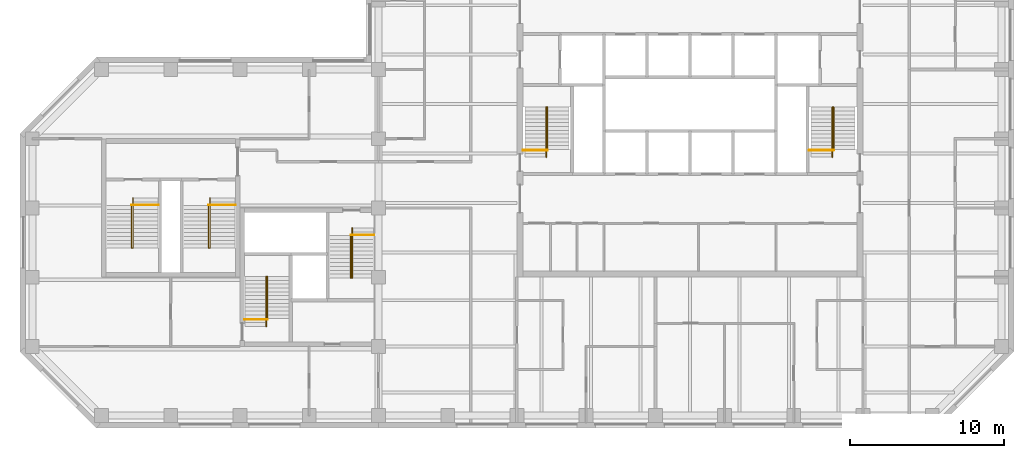
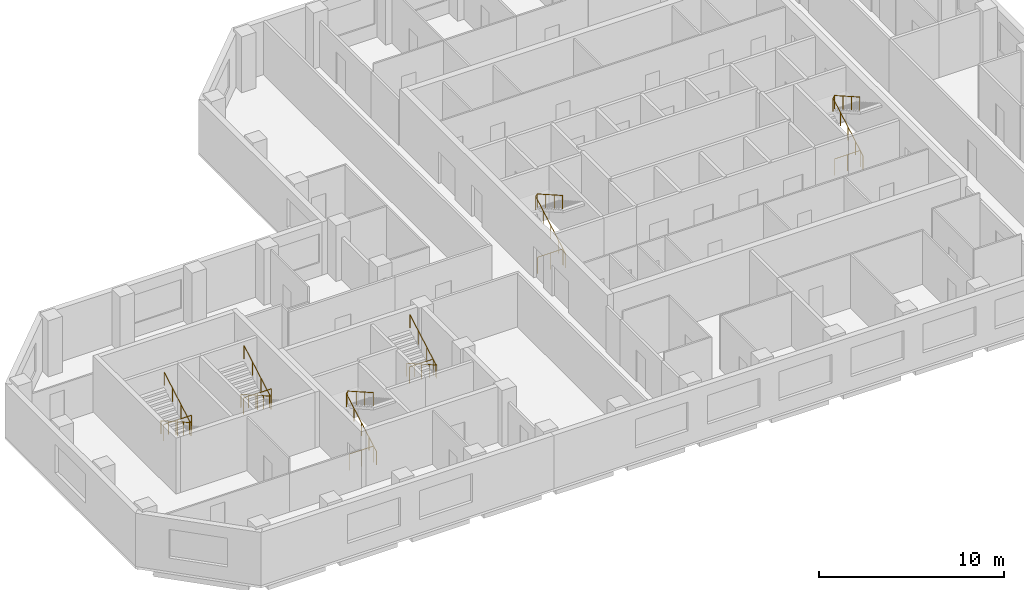
# One storey, part 9 of 9: 12 railings.
"""IFC4 building model written with IfcOpenShell, lengths in metres."""

from ifc_helpers import new_model, si_unit, direction, frame, origin, origin_2d, place, context, subcontext, project, spatial, circle, extrude, material, type_object, element, save


model = new_model("IFC4")

# Units and contexts
model_context = context("Model", 3, precision=1e-05, world=origin(), true_north=direction((0.0, 1.0)))
body_context = subcontext(model_context, "Body", "Model", "MODEL_VIEW")
ifc_project = project(units=[si_unit("LENGTHUNIT", "METRE"), si_unit("AREAUNIT", "SQUARE_METRE"), si_unit("VOLUMEUNIT", "CUBIC_METRE"), si_unit("PLANEANGLEUNIT", "RADIAN"), si_unit("MASSUNIT", "GRAM", prefix="KILO")], contexts=[model_context])

# Site, building, storey
site_placement = place(None, origin())
site = spatial("IfcSite", under=ifc_project, at=site_placement, CompositionType="ELEMENT")
building_placement = place(site_placement, origin())
building = spatial("IfcBuilding", under=site, at=building_placement, Name="Quoin Convention Tower", CompositionType="ELEMENT")
storey_placement = place(building_placement, frame((0.0, 0.0, 237.800048828125)))
storey = spatial("IfcBuildingStorey", under=building, at=storey_placement, Name="L62", CompositionType="ELEMENT", Elevation=237.800048828125)

# Railings
ifc_material = material(Name="Stainless steel", Category="steel")
railing_type_1 = type_object("IfcRailingType", Name="Stair handrail 900", PredefinedType="HANDRAIL", material=ifc_material)
railing_1_placement = place(storey_placement, frame((46.905029296875, 57.300048828125, 0.142333984375)))
element("IfcRailing", 1, at=railing_1_placement, inside=storey, type_object=railing_type_1, Name="SD1 handrail 1", PredefinedType="HANDRAIL", context=body_context, shape_type="SweptSolid", body=[
    extrude(circle(Radius=0.02392578125, at=origin_2d()), frame((0.0, 0.0, 0.8759765625), z_axis=(0.0, 0.869081571614, 0.494668800189), x_axis=(-1.0, 0.0, 0.0)), (0.0, 0.0, 1.0), 3.739501953125),
    extrude(circle(Radius=0.02392578125, at=origin_2d()), frame((0.0, 3.25, 2.7255859375), z_axis=(0.53481069233, 0.0, 0.844971906852), x_axis=(0.0, 1.0, 0.0)), (0.0, 0.0, 1.0), 0.16845703125),
    extrude(circle(Radius=0.02392578125, at=origin_2d()), frame((0.090087890625, 3.25, 2.8681640625), z_axis=(0.0, -0.869058607571, 0.494709143443), x_axis=(1.0, 0.0, 0.0)), (0.0, 0.0, 1.0), 3.164306640625),
    extrude(circle(Radius=0.02099609375, at=origin_2d()), origin(), (0.0, 0.0, 1.0), 0.851806640625),
    extrude(circle(Radius=0.02099609375, at=origin_2d()), frame((0.0, 0.8125, 0.46240234375)), (0.0, 0.0, 1.0), 0.851806640625),
    extrude(circle(Radius=0.02099609375, at=origin_2d()), frame((0.0, 1.625, 0.9248046875)), (0.0, 0.0, 1.0), 0.851806640625),
    extrude(circle(Radius=0.02099609375, at=origin_2d()), frame((0.0, 2.4375, 1.387451171875)), (0.0, 0.0, 1.0), 0.851806640625),
    extrude(circle(Radius=0.02099609375, at=origin_2d()), frame((0.0, 3.25, 1.849853515625)), (0.0, 0.0, 1.0), 0.851806640625),
    extrude(circle(Radius=0.02099609375, at=origin_2d()), frame((0.090087890625, 3.25, 1.9921875)), (0.0, 0.0, 1.0), 0.851806640625),
    extrude(circle(Radius=0.02099609375, at=origin_2d()), frame((0.090087890625, 2.333251953125, 2.513916015625)), (0.0, 0.0, 1.0), 0.851806640625),
    extrude(circle(Radius=0.02099609375, at=origin_2d()), frame((0.090087890625, 1.416748046875, 3.035888671875)), (0.0, 0.0, 1.0), 0.851806640625),
    extrude(circle(Radius=0.02099609375, at=origin_2d()), frame((0.090087890625, 0.5, 3.5576171875)), (0.0, 0.0, 1.0), 0.851806640625),
])
railing_2_placement = place(storey_placement, frame((65.5048828125, 57.300048828125, 0.142333984375)))
element("IfcRailing", 2, at=railing_2_placement, inside=storey, type_object=railing_type_1, Name="SD2 handrail 1", PredefinedType="HANDRAIL", context=body_context, shape_type="SweptSolid", body=[
    extrude(circle(Radius=0.02392578125, at=origin_2d()), frame((0.0, 0.0, 0.8759765625), z_axis=(0.0, 0.869081571614, 0.494668800189), x_axis=(-1.0, 0.0, 0.0)), (0.0, 0.0, 1.0), 3.739501953125),
    extrude(circle(Radius=0.02392578125, at=origin_2d()), frame((0.0, 3.25, 2.7255859375), z_axis=(0.53481069233, 0.0, 0.844971906852), x_axis=(0.0, 1.0, 0.0)), (0.0, 0.0, 1.0), 0.16845703125),
    extrude(circle(Radius=0.02392578125, at=origin_2d()), frame((0.090087890625, 3.25, 2.8681640625), z_axis=(0.0, -0.869058607571, 0.494709143443), x_axis=(1.0, 0.0, 0.0)), (0.0, 0.0, 1.0), 3.164306640625),
    extrude(circle(Radius=0.02099609375, at=origin_2d()), origin(), (0.0, 0.0, 1.0), 0.851806640625),
    extrude(circle(Radius=0.02099609375, at=origin_2d()), frame((0.0, 0.8125, 0.46240234375)), (0.0, 0.0, 1.0), 0.851806640625),
    extrude(circle(Radius=0.02099609375, at=origin_2d()), frame((0.0, 1.625, 0.9248046875)), (0.0, 0.0, 1.0), 0.851806640625),
    extrude(circle(Radius=0.02099609375, at=origin_2d()), frame((0.0, 2.4375, 1.387451171875)), (0.0, 0.0, 1.0), 0.851806640625),
    extrude(circle(Radius=0.02099609375, at=origin_2d()), frame((0.0, 3.25, 1.849853515625)), (0.0, 0.0, 1.0), 0.851806640625),
    extrude(circle(Radius=0.02099609375, at=origin_2d()), frame((0.090087890625, 3.25, 1.9921875)), (0.0, 0.0, 1.0), 0.851806640625),
    extrude(circle(Radius=0.02099609375, at=origin_2d()), frame((0.090087890625, 2.333251953125, 2.513916015625)), (0.0, 0.0, 1.0), 0.851806640625),
    extrude(circle(Radius=0.02099609375, at=origin_2d()), frame((0.090087890625, 1.416748046875, 3.035888671875)), (0.0, 0.0, 1.0), 0.851806640625),
    extrude(circle(Radius=0.02099609375, at=origin_2d()), frame((0.090087890625, 0.5, 3.5576171875)), (0.0, 0.0, 1.0), 0.851806640625),
])
railing_3_placement = place(storey_placement, frame((28.705078125, 46.300048828125, 0.142333984375)))
element("IfcRailing", 3, at=railing_3_placement, inside=storey, type_object=railing_type_1, Name="SD3 handrail 1", PredefinedType="HANDRAIL", context=body_context, shape_type="SweptSolid", body=[
    extrude(circle(Radius=0.02392578125, at=origin_2d()), frame((0.0, 0.0, 0.8759765625), z_axis=(0.0, 0.869081571614, 0.494668800189), x_axis=(-1.0, 0.0, 0.0)), (0.0, 0.0, 1.0), 3.739501953125),
    extrude(circle(Radius=0.02392578125, at=origin_2d()), frame((0.0, 3.25, 2.7255859375), z_axis=(0.533774684331, 0.0, 0.845626741753), x_axis=(0.0, 1.0, 0.0)), (0.0, 0.0, 1.0), 0.168212890625),
    extrude(circle(Radius=0.02392578125, at=origin_2d()), frame((0.08984375, 3.25, 2.8681640625), z_axis=(0.0, -0.869058607571, 0.494709143443), x_axis=(1.0, 0.0, 0.0)), (0.0, 0.0, 1.0), 3.164306640625),
    extrude(circle(Radius=0.02099609375, at=origin_2d()), origin(), (0.0, 0.0, 1.0), 0.851806640625),
    extrude(circle(Radius=0.02099609375, at=origin_2d()), frame((0.0, 0.8125, 0.46240234375)), (0.0, 0.0, 1.0), 0.851806640625),
    extrude(circle(Radius=0.02099609375, at=origin_2d()), frame((0.0, 1.625, 0.9248046875)), (0.0, 0.0, 1.0), 0.851806640625),
    extrude(circle(Radius=0.02099609375, at=origin_2d()), frame((0.0, 2.4375, 1.387451171875)), (0.0, 0.0, 1.0), 0.851806640625),
    extrude(circle(Radius=0.02099609375, at=origin_2d()), frame((0.0, 3.25, 1.849853515625)), (0.0, 0.0, 1.0), 0.851806640625),
    extrude(circle(Radius=0.02099609375, at=origin_2d()), frame((0.08984375, 3.25, 1.9921875)), (0.0, 0.0, 1.0), 0.851806640625),
    extrude(circle(Radius=0.02099609375, at=origin_2d()), frame((0.08984375, 2.333251953125, 2.513916015625)), (0.0, 0.0, 1.0), 0.851806640625),
    extrude(circle(Radius=0.02099609375, at=origin_2d()), frame((0.08984375, 1.416748046875, 3.035888671875)), (0.0, 0.0, 1.0), 0.851806640625),
    extrude(circle(Radius=0.02099609375, at=origin_2d()), frame((0.08984375, 0.5, 3.5576171875)), (0.0, 0.0, 1.0), 0.851806640625),
])
railing_4_placement = place(storey_placement, frame((34.294921875, 52.699951171875, 0.142333984375)))
element("IfcRailing", 4, at=railing_4_placement, inside=storey, type_object=railing_type_1, Name="SD4 handrail 1", PredefinedType="HANDRAIL", context=body_context, shape_type="SweptSolid", body=[
    extrude(circle(Radius=0.02392578125, at=origin_2d()), frame((0.0, 0.0, 0.8759765625), z_axis=(0.0, -0.869081571614, 0.494668800189), x_axis=(1.0, 0.0, 0.0)), (0.0, 0.0, 1.0), 3.739501953125),
    extrude(circle(Radius=0.02392578125, at=origin_2d()), frame((0.0, -3.25, 2.7255859375), z_axis=(-0.533774684331, 0.0, 0.845626741753), x_axis=(0.0, -1.0, 0.0)), (0.0, 0.0, 1.0), 0.168212890625),
    extrude(circle(Radius=0.02392578125, at=origin_2d()), frame((-0.08984375, -3.25, 2.8681640625), z_axis=(0.0, 0.869058607571, 0.494709143443), x_axis=(-1.0, 0.0, 0.0)), (0.0, 0.0, 1.0), 3.164306640625),
    extrude(circle(Radius=0.02099609375, at=origin_2d()), origin(), (0.0, 0.0, 1.0), 0.851806640625),
    extrude(circle(Radius=0.02099609375, at=origin_2d()), frame((0.0, -0.8125, 0.46240234375)), (0.0, 0.0, 1.0), 0.851806640625),
    extrude(circle(Radius=0.02099609375, at=origin_2d()), frame((0.0, -1.625, 0.9248046875)), (0.0, 0.0, 1.0), 0.851806640625),
    extrude(circle(Radius=0.02099609375, at=origin_2d()), frame((0.0, -2.4375, 1.387451171875)), (0.0, 0.0, 1.0), 0.851806640625),
    extrude(circle(Radius=0.02099609375, at=origin_2d()), frame((0.0, -3.25, 1.849853515625)), (0.0, 0.0, 1.0), 0.851806640625),
    extrude(circle(Radius=0.02099609375, at=origin_2d()), frame((-0.08984375, -3.25, 1.9921875)), (0.0, 0.0, 1.0), 0.851806640625),
    extrude(circle(Radius=0.02099609375, at=origin_2d()), frame((-0.08984375, -2.333251953125, 2.513916015625)), (0.0, 0.0, 1.0), 0.851806640625),
    extrude(circle(Radius=0.02099609375, at=origin_2d()), frame((-0.08984375, -1.416748046875, 3.035888671875)), (0.0, 0.0, 1.0), 0.851806640625),
    extrude(circle(Radius=0.02099609375, at=origin_2d()), frame((-0.08984375, -0.5, 3.5576171875)), (0.0, 0.0, 1.0), 0.851806640625),
])
railing_5_placement = place(storey_placement, frame((20.044921875, 54.64990234375, 0.142333984375)))
element("IfcRailing", 5, at=railing_5_placement, inside=storey, type_object=railing_type_1, Name="SD11 handrail 1", PredefinedType="HANDRAIL", context=body_context, shape_type="SweptSolid", body=[
    extrude(circle(Radius=0.02392578125, at=origin_2d()), frame((0.0, 0.0, 0.8759765625), z_axis=(0.0, -0.869081571614, 0.494668800189), x_axis=(1.0, 0.0, 0.0)), (0.0, 0.0, 1.0), 3.739501953125),
    extrude(circle(Radius=0.02392578125, at=origin_2d()), frame((0.0, -3.25, 2.7255859375), z_axis=(-0.533774684331, 0.0, 0.845626741753), x_axis=(0.0, -1.0, 0.0)), (0.0, 0.0, 1.0), 0.168212890625),
    extrude(circle(Radius=0.02392578125, at=origin_2d()), frame((-0.08984375, -3.25, 2.8681640625), z_axis=(0.0, 0.869058607571, 0.494709143443), x_axis=(-1.0, 0.0, 0.0)), (0.0, 0.0, 1.0), 3.164306640625),
    extrude(circle(Radius=0.02099609375, at=origin_2d()), origin(), (0.0, 0.0, 1.0), 0.851806640625),
    extrude(circle(Radius=0.02099609375, at=origin_2d()), frame((0.0, -0.8125, 0.46240234375)), (0.0, 0.0, 1.0), 0.851806640625),
    extrude(circle(Radius=0.02099609375, at=origin_2d()), frame((0.0, -1.625, 0.9248046875)), (0.0, 0.0, 1.0), 0.851806640625),
    extrude(circle(Radius=0.02099609375, at=origin_2d()), frame((0.0, -2.4375, 1.387451171875)), (0.0, 0.0, 1.0), 0.851806640625),
    extrude(circle(Radius=0.02099609375, at=origin_2d()), frame((0.0, -3.25, 1.849853515625)), (0.0, 0.0, 1.0), 0.851806640625),
    extrude(circle(Radius=0.02099609375, at=origin_2d()), frame((-0.08984375, -3.25, 1.9921875)), (0.0, 0.0, 1.0), 0.851806640625),
    extrude(circle(Radius=0.02099609375, at=origin_2d()), frame((-0.08984375, -2.333251953125, 2.513916015625)), (0.0, 0.0, 1.0), 0.851806640625),
    extrude(circle(Radius=0.02099609375, at=origin_2d()), frame((-0.08984375, -1.416748046875, 3.035888671875)), (0.0, 0.0, 1.0), 0.851806640625),
    extrude(circle(Radius=0.02099609375, at=origin_2d()), frame((-0.08984375, -0.5, 3.5576171875)), (0.0, 0.0, 1.0), 0.851806640625),
])
railing_6_placement = place(storey_placement, frame((25.044921875, 54.64990234375, 0.142333984375)))
element("IfcRailing", 6, at=railing_6_placement, inside=storey, type_object=railing_type_1, Name="SD12 handrail 1", PredefinedType="HANDRAIL", context=body_context, shape_type="SweptSolid", body=[
    extrude(circle(Radius=0.02392578125, at=origin_2d()), frame((0.0, 0.0, 0.8759765625), z_axis=(0.0, -0.869081571614, 0.494668800189), x_axis=(1.0, 0.0, 0.0)), (0.0, 0.0, 1.0), 3.739501953125),
    extrude(circle(Radius=0.02392578125, at=origin_2d()), frame((0.0, -3.25, 2.7255859375), z_axis=(-0.533774684331, 0.0, 0.845626741753), x_axis=(0.0, -1.0, 0.0)), (0.0, 0.0, 1.0), 0.168212890625),
    extrude(circle(Radius=0.02392578125, at=origin_2d()), frame((-0.08984375, -3.25, 2.8681640625), z_axis=(0.0, 0.869058607571, 0.494709143443), x_axis=(-1.0, 0.0, 0.0)), (0.0, 0.0, 1.0), 3.164306640625),
    extrude(circle(Radius=0.02099609375, at=origin_2d()), origin(), (0.0, 0.0, 1.0), 0.851806640625),
    extrude(circle(Radius=0.02099609375, at=origin_2d()), frame((0.0, -0.8125, 0.46240234375)), (0.0, 0.0, 1.0), 0.851806640625),
    extrude(circle(Radius=0.02099609375, at=origin_2d()), frame((0.0, -1.625, 0.9248046875)), (0.0, 0.0, 1.0), 0.851806640625),
    extrude(circle(Radius=0.02099609375, at=origin_2d()), frame((0.0, -2.4375, 1.387451171875)), (0.0, 0.0, 1.0), 0.851806640625),
    extrude(circle(Radius=0.02099609375, at=origin_2d()), frame((0.0, -3.25, 1.849853515625)), (0.0, 0.0, 1.0), 0.851806640625),
    extrude(circle(Radius=0.02099609375, at=origin_2d()), frame((-0.08984375, -3.25, 1.9921875)), (0.0, 0.0, 1.0), 0.851806640625),
    extrude(circle(Radius=0.02099609375, at=origin_2d()), frame((-0.08984375, -2.333251953125, 2.513916015625)), (0.0, 0.0, 1.0), 0.851806640625),
    extrude(circle(Radius=0.02099609375, at=origin_2d()), frame((-0.08984375, -1.416748046875, 3.035888671875)), (0.0, 0.0, 1.0), 0.851806640625),
    extrude(circle(Radius=0.02099609375, at=origin_2d()), frame((-0.08984375, -0.5, 3.5576171875)), (0.0, 0.0, 1.0), 0.851806640625),
])
railing_type_2 = type_object("IfcRailingType", Name="Stair top guard 1100", PredefinedType="GUARDRAIL", material=ifc_material)
railing_7_placement = place(storey_placement, frame((45.39990234375, 57.75, 0.0)))
element("IfcRailing", 7, at=railing_7_placement, inside=storey, type_object=railing_type_2, Name="SD1 top guard", PredefinedType="GUARDRAIL", context=body_context, shape_type="SweptSolid", body=[
    extrude(circle(Radius=0.02392578125, at=origin_2d()), frame((0.0, 0.0, 1.076171875), z_axis=(1.0, 0.0, 0.0), x_axis=(0.0, 1.0, 0.0)), (0.0, 0.0, 1.0), 1.59521484375),
    extrude(circle(Radius=0.02099609375, at=origin_2d()), origin(), (0.0, 0.0, 1.0), 1.052001953125),
    extrude(circle(Radius=0.02099609375, at=origin_2d()), frame((0.797607421875, 0.0, 0.0)), (0.0, 0.0, 1.0), 1.052001953125),
    extrude(circle(Radius=0.02099609375, at=origin_2d()), frame((1.59521484375, 0.0, 0.0)), (0.0, 0.0, 1.0), 1.052001953125),
])
railing_8_placement = place(storey_placement, frame((64.0, 57.75, 0.0)))
element("IfcRailing", 8, at=railing_8_placement, inside=storey, type_object=railing_type_2, Name="SD2 top guard", PredefinedType="GUARDRAIL", context=body_context, shape_type="SweptSolid", body=[
    extrude(circle(Radius=0.02392578125, at=origin_2d()), frame((0.0, 0.0, 1.076171875), z_axis=(1.0, 0.0, 0.0), x_axis=(0.0, 1.0, 0.0)), (0.0, 0.0, 1.0), 1.594970703125),
    extrude(circle(Radius=0.02099609375, at=origin_2d()), origin(), (0.0, 0.0, 1.0), 1.052001953125),
    extrude(circle(Radius=0.02099609375, at=origin_2d()), frame((0.79736328125, 0.0, 0.0)), (0.0, 0.0, 1.0), 1.052001953125),
    extrude(circle(Radius=0.02099609375, at=origin_2d()), frame((1.594970703125, 0.0, 0.0)), (0.0, 0.0, 1.0), 1.052001953125),
])
railing_9_placement = place(storey_placement, frame((27.300048828125, 46.75, 0.0)))
element("IfcRailing", 9, at=railing_9_placement, inside=storey, type_object=railing_type_2, Name="SD3 top guard", PredefinedType="GUARDRAIL", context=body_context, shape_type="SweptSolid", body=[
    extrude(circle(Radius=0.02392578125, at=origin_2d()), frame((0.0, 0.0, 1.076171875), z_axis=(1.0, 0.0, 0.0), x_axis=(0.0, 1.0, 0.0)), (0.0, 0.0, 1.0), 1.494873046875),
    extrude(circle(Radius=0.02099609375, at=origin_2d()), origin(), (0.0, 0.0, 1.0), 1.052001953125),
    extrude(circle(Radius=0.02099609375, at=origin_2d()), frame((0.74755859375, 0.0, 0.0)), (0.0, 0.0, 1.0), 1.052001953125),
    extrude(circle(Radius=0.02099609375, at=origin_2d()), frame((1.494873046875, 0.0, 0.0)), (0.0, 0.0, 1.0), 1.052001953125),
])
railing_10_placement = place(storey_placement, frame((35.699951171875, 52.25, 0.0)))
element("IfcRailing", 10, at=railing_10_placement, inside=storey, type_object=railing_type_2, Name="SD4 top guard", PredefinedType="GUARDRAIL", context=body_context, shape_type="SweptSolid", body=[
    extrude(circle(Radius=0.02392578125, at=origin_2d()), frame((0.0, 0.0, 1.076171875), z_axis=(-1.0, 0.0, 0.0), x_axis=(0.0, -1.0, 0.0)), (0.0, 0.0, 1.0), 1.494873046875),
    extrude(circle(Radius=0.02099609375, at=origin_2d()), origin(), (0.0, 0.0, 1.0), 1.052001953125),
    extrude(circle(Radius=0.02099609375, at=origin_2d()), frame((-0.74755859375, 0.0, 0.0)), (0.0, 0.0, 1.0), 1.052001953125),
    extrude(circle(Radius=0.02099609375, at=origin_2d()), frame((-1.494873046875, 0.0, 0.0)), (0.0, 0.0, 1.0), 1.052001953125),
])
for number, where, name in (
    (11, (21.699951171875, 54.199951171875, 0.0), "SD11 top guard"),
    (12, (26.699951171875, 54.199951171875, 0.0), "SD12 top guard"),
):
    element("IfcRailing", number, at=place(storey_placement, frame(where)), inside=storey, type_object=railing_type_2, Name=name, PredefinedType="GUARDRAIL", context=body_context, shape_type="SweptSolid", body=[
        extrude(circle(Radius=0.02392578125, at=origin_2d()), frame((0.0, 0.0, 1.076171875), z_axis=(-1.0, 0.0, 0.0), x_axis=(0.0, -1.0, 0.0)), (0.0, 0.0, 1.0), 1.744873046875),
        extrude(circle(Radius=0.02099609375, at=origin_2d()), origin(), (0.0, 0.0, 1.0), 1.052001953125),
        extrude(circle(Radius=0.02099609375, at=origin_2d()), frame((-0.87255859375, 0.0, 0.0)), (0.0, 0.0, 1.0), 1.052001953125),
        extrude(circle(Radius=0.02099609375, at=origin_2d()), frame((-1.744873046875, 0.0, 0.0)), (0.0, 0.0, 1.0), 1.052001953125),
    ])

save(model, "model.ifc")
